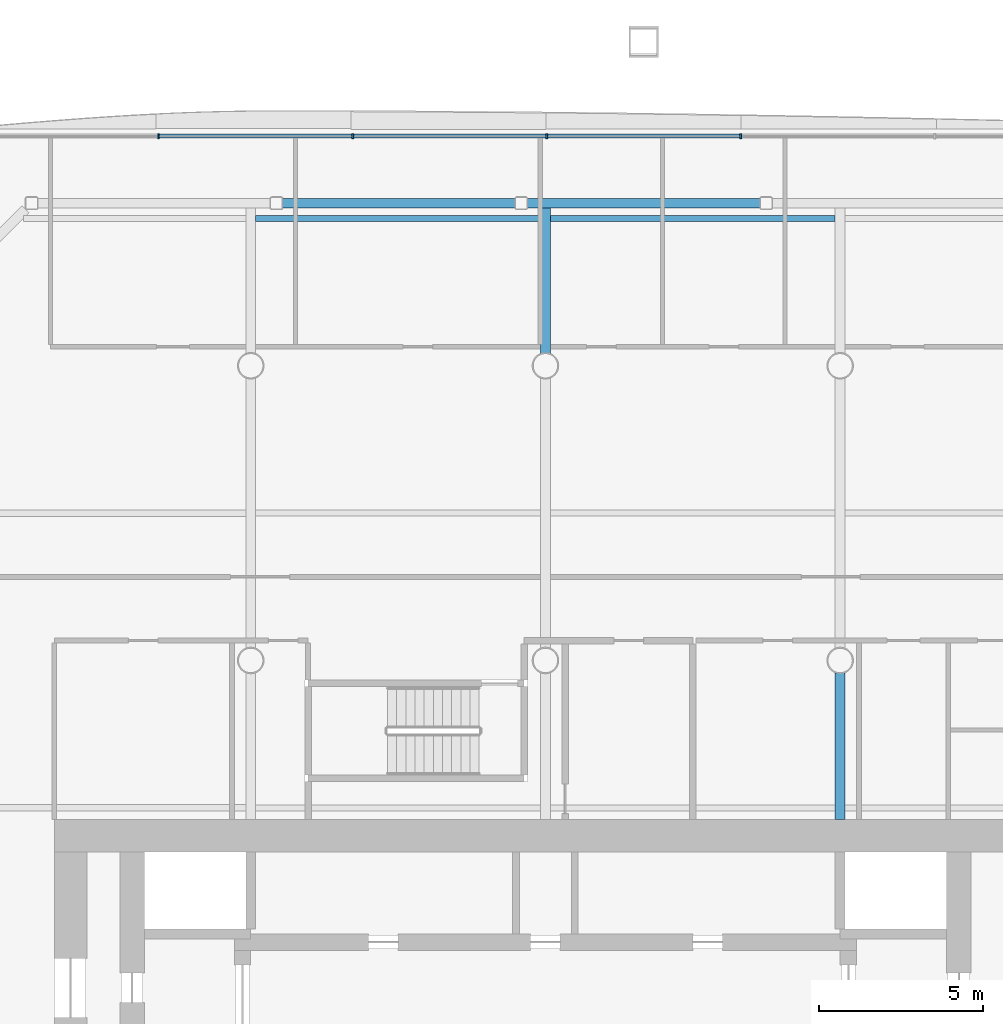
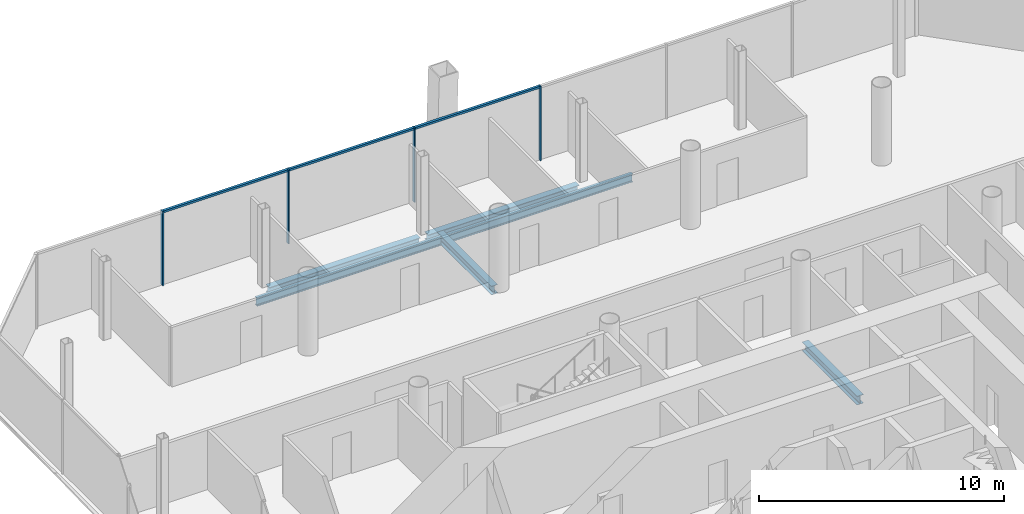
# One storey, part 8 of 19: 7 members, 6 beams, 1 element without a shape of its own.
"""IFC4 building model written with IfcOpenShell, lengths in metres."""

from ifc_helpers import new_model, si_unit, direction, frame, origin, origin_2d, place, context, subcontext, project, spatial, rectangle, i_section, extrude, material, material_profile, profile_set, type_object, element, aggregate, save


model = new_model("IFC4")

# Units and contexts
model_context = context("Model", 3, precision=1e-05, world=origin(), true_north=direction((0.0, 1.0)))
body_context = subcontext(model_context, "Body", "Model", "MODEL_VIEW")
ifc_project = project(units=[si_unit("LENGTHUNIT", "METRE"), si_unit("AREAUNIT", "SQUARE_METRE"), si_unit("VOLUMEUNIT", "CUBIC_METRE"), si_unit("PLANEANGLEUNIT", "RADIAN"), si_unit("MASSUNIT", "GRAM", prefix="KILO")], contexts=[model_context])

# Site, building, storey
site_placement = place(None, origin())
site = spatial("IfcSite", under=ifc_project, at=site_placement, CompositionType="ELEMENT")
building_placement = place(site_placement, origin())
building = spatial("IfcBuilding", under=site, at=building_placement, Name="Tskaro Facet Tower", CompositionType="ELEMENT")
storey_placement = place(building_placement, frame((0.0, 0.0, 77.699951171875)))
storey = spatial("IfcBuildingStorey", under=building, at=storey_placement, Name="L18", CompositionType="ELEMENT", Elevation=77.699951171875)

# Curtain wall, members
ifc_material_1 = material(Name="Bronze anodised aluminium 6063-T6", Category="aluminium")
curtain_wall_type = type_object("IfcCurtainWallType", Name="Bronze office curtain wall (FW1)", PredefinedType="NOTDEFINED", material=ifc_material_1)
curtain_wall_placement = place(storey_placement, origin())
curtain_wall = element("IfcCurtainWall", 1, at=curtain_wall_placement, inside=storey, type_object=curtain_wall_type, Name="FW1 north facet L18", PredefinedType="NOTDEFINED")
ifc_material_profile_1 = material_profile(ifc_material_1, rectangle(XDim=0.06005859375, YDim=0.159912109375, at=origin_2d()), Name="Mullion 60x160")
ifc_profile_set_1 = profile_set([ifc_material_profile_1], Name="Bronze anodised aluminium 6063-T6")
member_type_1 = type_object("IfcMemberType", Name="FW1 bronze mullion 60x160", PredefinedType="MULLION", material=ifc_profile_set_1)
member_1_placement = place(storey_placement, frame((5.96337890625, 25.010986328125, 0.0), z_axis=(0.0, 0.0, 1.0), x_axis=(-1.0, 0.0, 0.0)))
member_1 = element("IfcMember", 2, at=member_1_placement, type_object=member_type_1, Name="FW1 north mullion 3", PredefinedType="MULLION", context=body_context, shape_type="SweptSolid", body=[
    extrude(rectangle(XDim=0.06005859375, YDim=0.159912109375, at=origin_2d()), origin(), (0.0, 0.0, 1.0), 3.699951171875),
])
member_2_placement = place(storey_placement, frame((0.03662109375, 25.010986328125, 0.0), z_axis=(0.0, 0.0, 1.0), x_axis=(-1.0, 0.0, 0.0)))
member_2 = element("IfcMember", 3, at=member_2_placement, type_object=member_type_1, Name="FW1 north mullion 4", PredefinedType="MULLION", context=body_context, shape_type="SweptSolid", body=[
    extrude(rectangle(XDim=0.06005859375, YDim=0.159912109375, at=origin_2d()), origin(), (0.0, 0.0, 1.0), 3.699951171875),
])
member_3_placement = place(storey_placement, frame((-5.890380859375, 25.010986328125, 0.0), z_axis=(0.0, 0.0, 1.0), x_axis=(-1.0, 0.0, 0.0)))
member_3 = element("IfcMember", 4, at=member_3_placement, type_object=member_type_1, Name="FW1 north mullion 5", PredefinedType="MULLION", context=body_context, shape_type="SweptSolid", body=[
    extrude(rectangle(XDim=0.06005859375, YDim=0.159912109375, at=origin_2d()), origin(), (0.0, 0.0, 1.0), 3.699951171875),
])
member_4_placement = place(storey_placement, frame((-11.817138671875, 25.010986328125, 0.0), z_axis=(0.0, 0.0, 1.0), x_axis=(-1.0, 0.0, 0.0)))
member_4 = element("IfcMember", 5, at=member_4_placement, type_object=member_type_1, Name="FW1 north mullion 6", PredefinedType="MULLION", context=body_context, shape_type="SweptSolid", body=[
    extrude(rectangle(XDim=0.06005859375, YDim=0.159912109375, at=origin_2d()), origin(), (0.0, 0.0, 1.0), 3.699951171875),
])
ifc_material_profile_2 = material_profile(ifc_material_1, rectangle(XDim=0.1201171875, YDim=0.10009765625, at=origin_2d()), Name="Transom 120x100")
ifc_profile_set_2 = profile_set([ifc_material_profile_2], Name="Bronze anodised aluminium 6063-T6")
member_type_2 = type_object("IfcMemberType", Name="FW1 bronze transom 120x100", PredefinedType="USERDEFINED", material=ifc_profile_set_2)
member_5_placement = place(storey_placement, frame((5.933349609375, 25.010986328125, 3.650146484375), z_axis=(-1.0, 0.0, 0.0), x_axis=(0.0, -1.0, 0.0)))
member_5 = element("IfcMember", 6, at=member_5_placement, type_object=member_type_2, Name="FW1 north transom 4.1", ObjectType="TRANSOM", PredefinedType="USERDEFINED", context=body_context, shape_type="SweptSolid", body=[
    extrude(rectangle(XDim=0.1201171875, YDim=0.10009765625, at=origin_2d()), origin(), (0.0, 0.0, 1.0), 5.86669921875),
])
member_6_placement = place(storey_placement, frame((0.006591796875, 25.010986328125, 3.650146484375), z_axis=(-1.0, 0.0, 0.0), x_axis=(0.0, -1.0, 0.0)))
member_6 = element("IfcMember", 7, at=member_6_placement, type_object=member_type_2, Name="FW1 north transom 5.1", ObjectType="TRANSOM", PredefinedType="USERDEFINED", context=body_context, shape_type="SweptSolid", body=[
    extrude(rectangle(XDim=0.1201171875, YDim=0.10009765625, at=origin_2d()), origin(), (0.0, 0.0, 1.0), 5.866943359375),
])
member_7_placement = place(storey_placement, frame((-5.920166015625, 25.010986328125, 3.650146484375), z_axis=(-1.0, 0.0, 0.0), x_axis=(0.0, -1.0, 0.0)))
member_7 = element("IfcMember", 8, at=member_7_placement, type_object=member_type_2, Name="FW1 north transom 6.1", ObjectType="TRANSOM", PredefinedType="USERDEFINED", context=body_context, shape_type="SweptSolid", body=[
    extrude(rectangle(XDim=0.1201171875, YDim=0.10009765625, at=origin_2d()), origin(), (0.0, 0.0, 1.0), 5.866943359375),
])
aggregate(curtain_wall, [member_1, member_2, member_3, member_4, member_5, member_6, member_7])

# Beams
ifc_material_2 = material(Name="Steel S355J2", Category="steel")
ifc_material_profile_3 = material_profile(ifc_material_2, i_section(OverallWidth=0.300048828125, OverallDepth=0.360107421875, WebThickness=0.012451171875, FlangeThickness=0.0224609375, FilletRadius=0.027099609375, at=origin_2d()), Name="HE 360 B")
ifc_profile_set_3 = profile_set([ifc_material_profile_3], Name="Steel S355J2")
beam_type_1 = type_object("IfcBeamType", Name="HE 360 B ring beam", PredefinedType="BEAM", material=ifc_profile_set_3)
beam_1_placement = place(storey_placement, frame((6.55810546875, 22.965087890625, -0.320068359375), z_axis=(-1.0, 0.0, 0.0), x_axis=(0.0, -1.0, 0.0)))
element("IfcBeam", 9, at=beam_1_placement, inside=storey, type_object=beam_type_1, Name="HE 360 B EB15-2", PredefinedType="BEAM", context=body_context, shape_type="SweptSolid", body=[
    extrude(i_section(OverallWidth=0.300048828125, OverallDepth=0.360107421875, WebThickness=0.012451171875, FlangeThickness=0.0224609375, FilletRadius=0.027099609375, at=origin_2d()), origin(), (0.0, 0.0, 1.0), 7.1162109375),
])
beam_2_placement = place(storey_placement, frame((-0.91796875, 22.965087890625, -0.320068359375), z_axis=(-1.0, 0.0, 0.0), x_axis=(0.0, -1.0, 0.0)))
element("IfcBeam", 10, at=beam_2_placement, inside=storey, type_object=beam_type_1, Name="HE 360 B EB16-2", PredefinedType="BEAM", context=body_context, shape_type="SweptSolid", body=[
    extrude(i_section(OverallWidth=0.300048828125, OverallDepth=0.360107421875, WebThickness=0.012451171875, FlangeThickness=0.0224609375, FilletRadius=0.027099609375, at=origin_2d()), origin(), (0.0, 0.0, 1.0), 7.115966796875),
])
ifc_material_profile_4 = material_profile(ifc_material_2, i_section(OverallWidth=0.300048828125, OverallDepth=0.43994140625, WebThickness=0.011474609375, FlangeThickness=0.02099609375, FilletRadius=0.027099609375, at=origin_2d()), Name="HE 450 A")
ifc_profile_set_4 = profile_set([ifc_material_profile_4], Name="Steel S355J2")
beam_type_2 = type_object("IfcBeamType", Name="HE 450 A girder", PredefinedType="BEAM", material=ifc_profile_set_4)
beam_3_placement = place(storey_placement, frame((0.0, 18.37646484375, -0.35986328125), z_axis=(0.0, 1.0, 0.0), x_axis=(-1.0, 0.0, 0.0)))
element("IfcBeam", 11, at=beam_3_placement, inside=storey, type_object=beam_type_2, Name="HE 450 A GB4-5-2", PredefinedType="BEAM", context=body_context, shape_type="SweptSolid", body=[
    extrude(i_section(OverallWidth=0.300048828125, OverallDepth=0.43994140625, WebThickness=0.011474609375, FlangeThickness=0.02099609375, FilletRadius=0.027099609375, at=origin_2d()), origin(), (0.0, 0.0, 1.0), 4.4384765625),
])
beam_4_placement = place(storey_placement, frame((9.0, 4.14990234375, -0.35986328125), z_axis=(0.0, 1.0, 0.0), x_axis=(-1.0, 0.0, 0.0)))
element("IfcBeam", 12, at=beam_4_placement, inside=storey, type_object=beam_type_2, Name="HE 450 A GB5-3-2", PredefinedType="BEAM", context=body_context, shape_type="SweptSolid", body=[
    extrude(i_section(OverallWidth=0.300048828125, OverallDepth=0.43994140625, WebThickness=0.011474609375, FlangeThickness=0.02099609375, FilletRadius=0.027099609375, at=origin_2d()), origin(), (0.0, 0.0, 1.0), 4.4736328125),
])
ifc_material_profile_5 = material_profile(ifc_material_2, i_section(OverallWidth=0.179931640625, OverallDepth=0.39990234375, WebThickness=0.008544921875, FlangeThickness=0.013427734375, FilletRadius=0.02099609375, at=origin_2d()), Name="IPE 400")
ifc_profile_set_5 = profile_set([ifc_material_profile_5], Name="Steel S355J2")
beam_type_3 = type_object("IfcBeamType", Name="IPE 400 secondary beam", PredefinedType="BEAM", material=ifc_profile_set_5)
for number, where, z_axis, x_axis, name in (
    (13, (-8.85009765625, 22.5, -0.33984375), (1.0, 0.0, 0.0), (0.0, 1.0, 0.0), "IPE 400 SB6a-2-2"),
    (14, (0.14990234375, 22.5, -0.33984375), (1.0, 0.0, 0.0), (0.0, 1.0, 0.0), "IPE 400 SB6a-3-2"),
):
    element("IfcBeam", number, at=place(storey_placement, frame(where, z_axis=z_axis, x_axis=x_axis)), inside=storey, type_object=beam_type_3, Name=name, PredefinedType="BEAM", context=body_context, shape_type="SweptSolid", body=[
        extrude(i_section(OverallWidth=0.179931640625, OverallDepth=0.39990234375, WebThickness=0.008544921875, FlangeThickness=0.013427734375, FilletRadius=0.02099609375, at=origin_2d()), origin(), (0.0, 0.0, 1.0), 8.7001953125),
    ])

save(model, "model.ifc")
